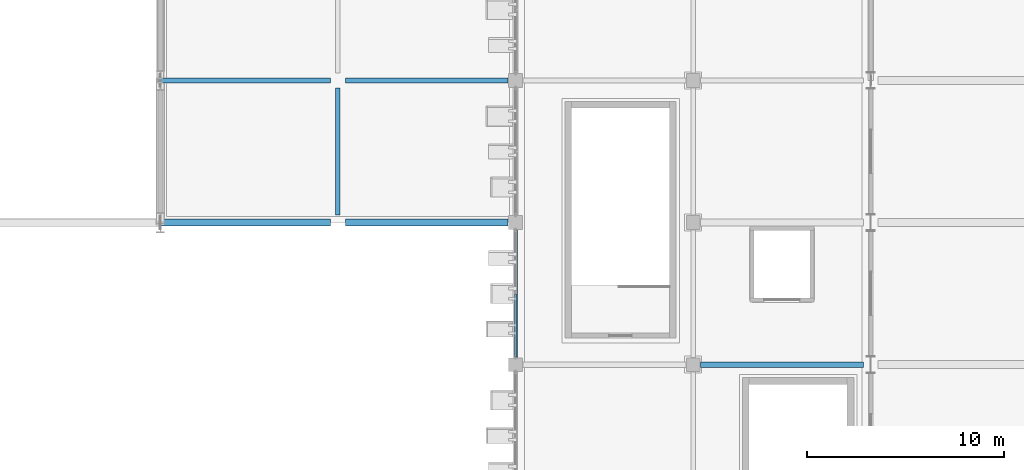
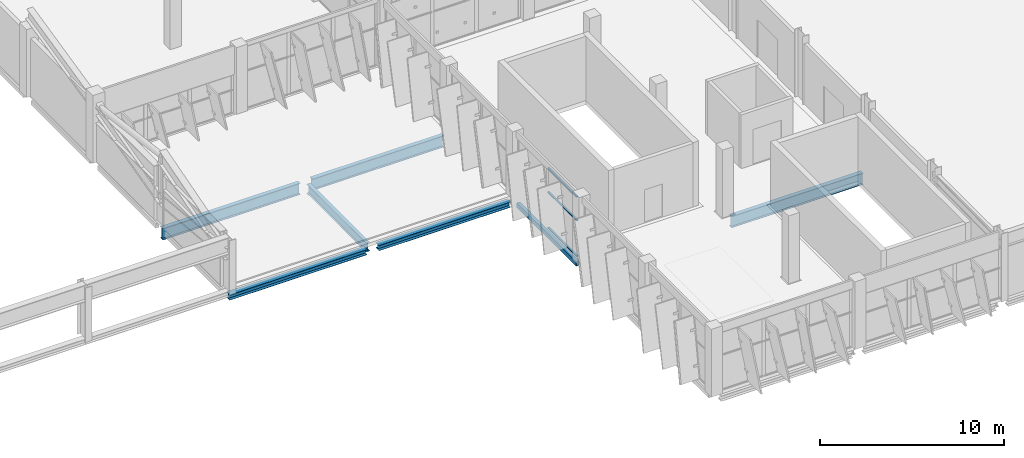
# One storey, part 36 of 151: 7 beams, 3 members, 1 element without a shape of its own.
"""IFC4 building model written with IfcOpenShell, lengths in metres."""

from ifc_helpers import new_model, si_unit, direction, frame, origin, origin_2d, place, context, subcontext, project, spatial, hollow_rectangle, i_section, extrude, material, layer, layer_set, material_profile, profile_set, type_object, element, aggregate, save


model = new_model("IFC4")

# Units and contexts
model_context = context("Model", 3, precision=1e-05, world=origin(), true_north=direction((0.0, 1.0)))
body_context = subcontext(model_context, "Body", "Model", "MODEL_VIEW")
ifc_project = project(units=[si_unit("LENGTHUNIT", "METRE"), si_unit("AREAUNIT", "SQUARE_METRE"), si_unit("VOLUMEUNIT", "CUBIC_METRE"), si_unit("PLANEANGLEUNIT", "RADIAN"), si_unit("MASSUNIT", "GRAM", prefix="KILO")], contexts=[model_context])

# Site, building, storey
site_placement = place(None, origin())
site = spatial("IfcSite", under=ifc_project, at=site_placement, CompositionType="ELEMENT")
building_placement = place(site_placement, origin())
building = spatial("IfcBuilding", under=site, at=building_placement, Name="Celestram Park Convention Centre", CompositionType="ELEMENT")
storey_placement = place(building_placement, frame((0.0, 0.0, 10.800048828125)))
storey = spatial("IfcBuildingStorey", under=building, at=storey_placement, Name="L02", CompositionType="ELEMENT", Elevation=10.800048828125)

# Curtain wall, members
ifc_material_1 = material(Name="Anodised Aluminium Alloy 6063-T6", Category="aluminium")
ifc_layer = layer(ifc_material_1, 0.179931640625)
ifc_layer_set = layer_set([ifc_layer], Name="Anodised Aluminium Alloy 6063-T6")
curtain_wall_type = type_object("IfcCurtainWallType", Name="ARC-CW-650X401", PredefinedType="NOTDEFINED", material=ifc_layer_set)
curtain_wall_placement = place(storey_placement, origin())
curtain_wall = element("IfcCurtainWall", 1, at=curtain_wall_placement, inside=storey, type_object=curtain_wall_type, Name="Unitised curtain wall CU-L02-141", PredefinedType="NOTDEFINED")
ifc_material_profile_1 = material_profile(ifc_material_1, hollow_rectangle(XDim=0.1201171875, YDim=0.06005859375, WallThickness=0.0029296875, at=origin_2d()), Name="ALU120X60X3")
ifc_profile_set_1 = profile_set([ifc_material_profile_1], Name="Anodised Aluminium Alloy 6063-T6")
member_type = type_object("IfcMemberType", Name="ARC-CWT-120", PredefinedType="USERDEFINED", material=ifc_profile_set_1)
member_1_placement = place(storey_placement, frame((144.0, 14.81298828125, 0.030029296875), z_axis=(0.0, 1.0, 0.0), x_axis=(-1.0, 0.0, 0.0)))
member_1 = element("IfcMember", 2, at=member_1_placement, type_object=member_type, Name="CW-65X40 transom 1.1", ObjectType="TRANSOM", PredefinedType="USERDEFINED", context=body_context, shape_type="SweptSolid", body=[
    extrude(hollow_rectangle(XDim=0.1201171875, YDim=0.06005859375, WallThickness=0.0029296875, at=origin_2d()), origin(), (0.0, 0.0, 1.0), 3.154541015625),
])
member_2_placement = place(storey_placement, frame((144.0, 14.81298828125, 2.406005859375), z_axis=(0.0, 1.0, 0.0), x_axis=(-1.0, 0.0, 0.0)))
member_2 = element("IfcMember", 3, at=member_2_placement, type_object=member_type, Name="CW-65X40 transom 1.2", ObjectType="TRANSOM", PredefinedType="USERDEFINED", context=body_context, shape_type="SweptSolid", body=[
    extrude(hollow_rectangle(XDim=0.1201171875, YDim=0.06005859375, WallThickness=0.0029296875, at=origin_2d()), origin(), (0.0, 0.0, 1.0), 3.154541015625),
])
member_3_placement = place(storey_placement, frame((144.0, 14.81298828125, 3.97998046875), z_axis=(0.0, 1.0, 0.0), x_axis=(-1.0, 0.0, 0.0)))
member_3 = element("IfcMember", 4, at=member_3_placement, type_object=member_type, Name="CW-65X40 transom 1.3", ObjectType="TRANSOM", PredefinedType="USERDEFINED", context=body_context, shape_type="SweptSolid", body=[
    extrude(hollow_rectangle(XDim=0.1201171875, YDim=0.06005859375, WallThickness=0.0029296875, at=origin_2d()), origin(), (0.0, 0.0, 1.0), 3.154541015625),
])
aggregate(curtain_wall, [member_1, member_2, member_3])

# Beams
ifc_material_2 = material(Name="Steel ASTM A992 Grade 50", Category="steel")
ifc_material_profile_2 = material_profile(ifc_material_2, i_section(OverallWidth=0.22900390625, OverallDepth=0.612060546875, WebThickness=0.011962890625, FlangeThickness=0.01953125, at=origin_2d()), Name="W24X84")
ifc_profile_set_2 = profile_set([ifc_material_profile_2], Name="Steel ASTM A992 Grade 50")
beam_type_1 = type_object("IfcBeamType", Name="STR-BM-W24X84", PredefinedType="BEAM", material=ifc_profile_set_2)
beam_1_placement = place(storey_placement, frame((135.0, 21.972900390625, -0.546142578125), z_axis=(0.0, 1.0, 0.0), x_axis=(-1.0, 0.0, 0.0)))
element("IfcBeam", 5, at=beam_1_placement, inside=storey, type_object=beam_type_1, Name="Primary Y-girder BG-L02-0195", PredefinedType="BEAM", context=body_context, shape_type="SweptSolid", body=[
    extrude(i_section(OverallWidth=0.22900390625, OverallDepth=0.612060546875, WebThickness=0.011962890625, FlangeThickness=0.01953125, at=origin_2d()), origin(), (0.0, 0.0, 1.0), 6.4541015625),
])
ifc_material_profile_3 = material_profile(ifc_material_2, i_section(OverallWidth=0.26708984375, OverallDepth=0.761962890625, WebThickness=0.014404296875, FlangeThickness=0.021484375, at=origin_2d()), Name="W30X116")
ifc_profile_set_3 = profile_set([ifc_material_profile_3], Name="Steel ASTM A992 Grade 50")
beam_type_2 = type_object("IfcBeamType", Name="STR-BM-W30X116", PredefinedType="BEAM", material=ifc_profile_set_3)
beam_2_placement = place(storey_placement, frame((126.010009765625, 28.800048828125, -0.62109375), z_axis=(1.0, 0.0, 0.0), x_axis=(0.0, 1.0, 0.0)))
element("IfcBeam", 6, at=beam_2_placement, inside=storey, type_object=beam_type_2, Name="Primary X-girder BG-L02-0158", PredefinedType="BEAM", context=body_context, shape_type="SweptSolid", body=[
    extrude(i_section(OverallWidth=0.26708984375, OverallDepth=0.761962890625, WebThickness=0.014404296875, FlangeThickness=0.021484375, at=origin_2d()), origin(), (0.0, 0.0, 1.0), 8.616943359375),
])
for number, where, z_axis, x_axis, name in (
    (7, (135.373046875, 28.800048828125, -0.62109375), (1.0, 0.0, 0.0), (0.0, 1.0, 0.0), "Primary X-girder BG-L02-0196"),
    (8, (153.373046875, 14.39990234375, -0.6611328125), (1.0, 0.0, 0.0), (0.0, 1.0, 0.0), "Primary X-girder BG-L02-0268"),
):
    element("IfcBeam", number, at=place(storey_placement, frame(where, z_axis=z_axis, x_axis=x_axis)), inside=storey, type_object=beam_type_2, Name=name, PredefinedType="BEAM", context=body_context, shape_type="SweptSolid", body=[
        extrude(i_section(OverallWidth=0.26708984375, OverallDepth=0.761962890625, WebThickness=0.014404296875, FlangeThickness=0.021484375, at=origin_2d()), origin(), (0.0, 0.0, 1.0), 8.25390625),
    ])
ifc_material_3 = material(Name="Steel ASTM A500 Grade C", Category="steel")
ifc_material_profile_4 = material_profile(ifc_material_3, hollow_rectangle(XDim=0.199951171875, YDim=0.300048828125, WallThickness=0.011962890625, at=origin_2d()), Name="HSS300X200X12")
ifc_profile_set_4 = profile_set([ifc_material_profile_4], Name="Steel ASTM A500 Grade C")
beam_type_3 = type_object("IfcBeamType", Name="STR-SPN-HSS300X200", PredefinedType="SPANDREL", material=ifc_profile_set_4)
beam_3_placement = place(storey_placement, frame((144.0, 14.77294921875, -0.429931640625), z_axis=(0.0, 1.0, 0.0), x_axis=(-1.0, 0.0, 0.0)))
element("IfcBeam", 9, at=beam_3_placement, inside=storey, type_object=beam_type_3, Name="Primary Y-girder BG-L02-0238", PredefinedType="SPANDREL", context=body_context, shape_type="SweptSolid", body=[
    extrude(hollow_rectangle(XDim=0.199951171875, YDim=0.300048828125, WallThickness=0.011962890625, at=origin_2d()), origin(), (0.0, 0.0, 1.0), 6.4541015625),
])
ifc_material_profile_5 = material_profile(ifc_material_2, i_section(OverallWidth=0.367919921875, OverallDepth=0.35595703125, WebThickness=0.01123046875, FlangeThickness=0.01806640625, at=origin_2d()), Name="W14X90")
ifc_profile_set_5 = profile_set([ifc_material_profile_5], Name="Steel ASTM A992 Grade 50")
beam_type_4 = type_object("IfcBeamType", Name="STR-SPN-W14X90", PredefinedType="SPANDREL", material=ifc_profile_set_5)
beam_4_placement = place(storey_placement, frame((126.010009765625, 21.60009765625, -0.41796875), z_axis=(1.0, 0.0, 0.0), x_axis=(0.0, 1.0, 0.0)))
element("IfcBeam", 10, at=beam_4_placement, inside=storey, type_object=beam_type_4, Name="Primary X-girder BG-L02-0156", PredefinedType="SPANDREL", context=body_context, shape_type="SweptSolid", body=[
    extrude(i_section(OverallWidth=0.367919921875, OverallDepth=0.35595703125, WebThickness=0.01123046875, FlangeThickness=0.01806640625, at=origin_2d()), origin(), (0.0, 0.0, 1.0), 8.616943359375),
])
beam_5_placement = place(storey_placement, frame((135.373046875, 21.60009765625, -0.41796875), z_axis=(1.0, 0.0, 0.0), x_axis=(0.0, 1.0, 0.0)))
element("IfcBeam", 11, at=beam_5_placement, inside=storey, type_object=beam_type_4, Name="Primary X-girder BG-L02-0194", PredefinedType="SPANDREL", context=body_context, shape_type="SweptSolid", body=[
    extrude(i_section(OverallWidth=0.367919921875, OverallDepth=0.35595703125, WebThickness=0.01123046875, FlangeThickness=0.01806640625, at=origin_2d()), origin(), (0.0, 0.0, 1.0), 8.25390625),
])

save(model, "model.ifc")
